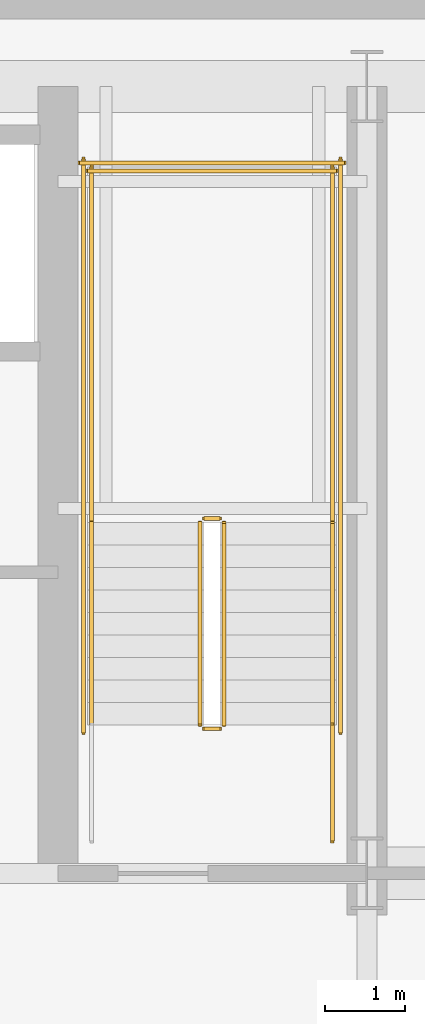
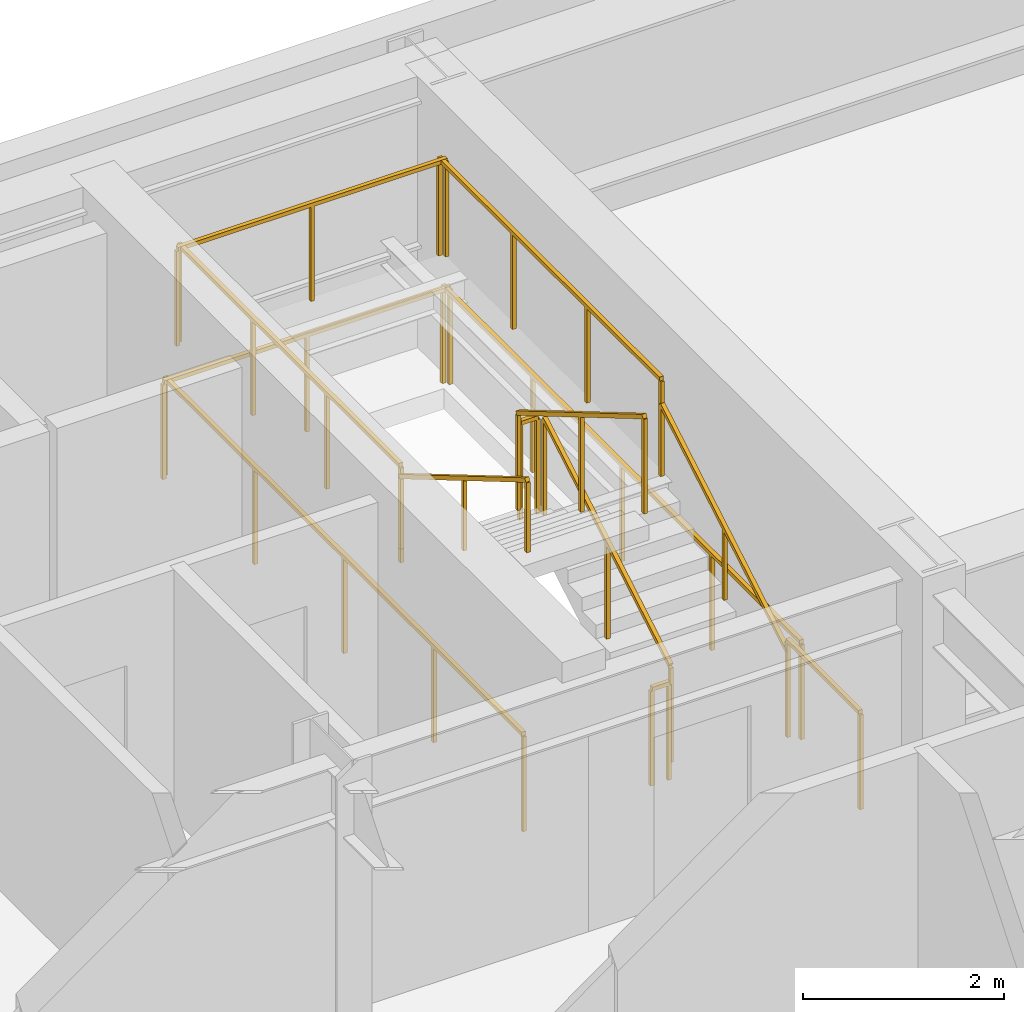
# One storey, part 14 of 16: 13 railings.
"""IFC4 building model written with IfcOpenShell, lengths in metres."""

from ifc_helpers import new_model, si_unit, direction, frame, origin, origin_2d, place, context, subcontext, project, spatial, rectangle, extrude, material, type_object, element, save


model = new_model("IFC4")

# Units and contexts
model_context = context("Model", 3, precision=1e-05, world=origin(), true_north=direction((0.0, 1.0)))
body_context = subcontext(model_context, "Body", "Model", "MODEL_VIEW")
ifc_project = project(units=[si_unit("LENGTHUNIT", "METRE"), si_unit("AREAUNIT", "SQUARE_METRE"), si_unit("VOLUMEUNIT", "CUBIC_METRE"), si_unit("PLANEANGLEUNIT", "RADIAN"), si_unit("MASSUNIT", "GRAM", prefix="KILO")], contexts=[model_context])

# Site, building, storey
site_placement = place(None, origin())
site = spatial("IfcSite", under=ifc_project, at=site_placement, CompositionType="ELEMENT")
building_placement = place(site_placement, origin())
building = spatial("IfcBuilding", under=site, at=building_placement, Name="Haevon Station Towers", CompositionType="ELEMENT")
storey_placement = place(building_placement, frame((0.0, 0.0, 90.0)))
storey = spatial("IfcBuildingStorey", under=building, at=storey_placement, Name="L23", CompositionType="ELEMENT", Elevation=90.0)

# Railings
ifc_material = material(Name="Steel S355", Category="steel")
railing_type_1 = type_object("IfcRailingType", Name="GRD-STR1200", PredefinedType="GUARDRAIL", material=ifc_material)
railing_1_placement = place(storey_placement, frame((49.219970703125, 40.050048828125, 0.1650390625)))
element("IfcRailing", 1, at=railing_1_placement, inside=storey, type_object=railing_type_1, Name="L23 ST2 Stair Guard 1", PredefinedType="GUARDRAIL", context=body_context, shape_type="SweptSolid", body=[
    extrude(rectangle(XDim=0.048095703125, YDim=0.048095703125, at=origin_2d()), frame((0.0, 0.0, 1.17578125), z_axis=(0.0, 0.861560626758, 0.507654692109), x_axis=(-1.0, 0.0, 0.0)), (0.0, 0.0, 1.0), 2.925048828125),
    extrude(rectangle(XDim=0.0419921875, YDim=0.0419921875, at=origin_2d()), origin(), (0.0, 0.0, 1.0), 1.15185546875),
    extrude(rectangle(XDim=0.0419921875, YDim=0.0419921875, at=origin_2d()), frame((0.0, 1.260009765625, 0.742431640625)), (0.0, 0.0, 1.0), 1.15185546875),
    extrude(rectangle(XDim=0.0419921875, YDim=0.0419921875, at=origin_2d()), frame((0.0, 2.52001953125, 1.48486328125)), (0.0, 0.0, 1.0), 1.15185546875),
])
railing_2_placement = place(storey_placement, frame((49.169921875, 42.6201171875, 1.64990234375)))
element("IfcRailing", 2, at=railing_2_placement, inside=storey, type_object=railing_type_1, Name="L23 ST2 Stair Guard 2", PredefinedType="GUARDRAIL", context=body_context, shape_type="SweptSolid", body=[
    extrude(rectangle(XDim=0.048095703125, YDim=0.048095703125, at=origin_2d()), frame((0.0, 0.0, 1.17578125), z_axis=(-1.0, 0.0, 0.0), x_axis=(0.0, -1.0, 0.0)), (0.0, 0.0, 1.0), 0.199951171875),
    extrude(rectangle(XDim=0.0419921875, YDim=0.0419921875, at=origin_2d()), origin(), (0.0, 0.0, 1.0), 1.15185546875),
    extrude(rectangle(XDim=0.0419921875, YDim=0.0419921875, at=origin_2d()), frame((-0.199951171875, 0.0, 0.0)), (0.0, 0.0, 1.0), 1.15185546875),
])
for number, where, name in (
    (3, (50.570068359375, 42.570068359375, 1.64990234375), "L23 ST2 Stair Guard 3"),
    (4, (47.570068359375, 42.570068359375, 1.64990234375), "L23 ST2 Stair Guard 4"),
):
    element("IfcRailing", number, at=place(storey_placement, frame(where)), inside=storey, type_object=railing_type_1, Name=name, PredefinedType="GUARDRAIL", context=body_context, shape_type="SweptSolid", body=[
        extrude(rectangle(XDim=0.048095703125, YDim=0.048095703125, at=origin_2d()), frame((0.0, 0.0, 1.17578125), z_axis=(0.0, 1.0, 0.0), x_axis=(-1.0, 0.0, 0.0)), (0.0, 0.0, 1.0), 4.429931640625),
        extrude(rectangle(XDim=0.0419921875, YDim=0.0419921875, at=origin_2d()), origin(), (0.0, 0.0, 1.0), 1.15185546875),
        extrude(rectangle(XDim=0.0419921875, YDim=0.0419921875, at=origin_2d()), frame((0.0, 1.4765625, 0.0)), (0.0, 0.0, 1.0), 1.15185546875),
        extrude(rectangle(XDim=0.0419921875, YDim=0.0419921875, at=origin_2d()), frame((0.0, 2.953369140625, 0.0)), (0.0, 0.0, 1.0), 1.15185546875),
        extrude(rectangle(XDim=0.0419921875, YDim=0.0419921875, at=origin_2d()), frame((0.0, 4.429931640625, 0.0)), (0.0, 0.0, 1.0), 1.15185546875),
    ])
railing_3_placement = place(storey_placement, frame((50.6201171875, 46.949951171875, 1.64990234375)))
element("IfcRailing", 5, at=railing_3_placement, inside=storey, type_object=railing_type_1, Name="L23 ST2 Stair Guard 5", PredefinedType="GUARDRAIL", context=body_context, shape_type="SweptSolid", body=[
    extrude(rectangle(XDim=0.048095703125, YDim=0.048095703125, at=origin_2d()), frame((0.0, 0.0, 1.17578125), z_axis=(-1.0, 0.0, 0.0), x_axis=(0.0, -1.0, 0.0)), (0.0, 0.0, 1.0), 3.10009765625),
    extrude(rectangle(XDim=0.0419921875, YDim=0.0419921875, at=origin_2d()), origin(), (0.0, 0.0, 1.0), 1.15185546875),
    extrude(rectangle(XDim=0.0419921875, YDim=0.0419921875, at=origin_2d()), frame((-1.550048828125, 0.0, 0.0)), (0.0, 0.0, 1.0), 1.15185546875),
    extrude(rectangle(XDim=0.0419921875, YDim=0.0419921875, at=origin_2d()), frame((-3.10009765625, 0.0, 0.0)), (0.0, 0.0, 1.0), 1.15185546875),
])
railing_4_placement = place(storey_placement, frame((48.919921875, 42.570068359375, 1.81494140625)))
element("IfcRailing", 6, at=railing_4_placement, inside=storey, type_object=railing_type_1, Name="L23 ST2 Stair Guard 6", PredefinedType="GUARDRAIL", context=body_context, shape_type="SweptSolid", body=[
    extrude(rectangle(XDim=0.048095703125, YDim=0.048095703125, at=origin_2d()), frame((0.0, 0.0, 1.17578125), z_axis=(0.0, -0.86152411907, 0.507716645641), x_axis=(1.0, 0.0, 0.0)), (0.0, 0.0, 1.0), 2.925048828125),
    extrude(rectangle(XDim=0.0419921875, YDim=0.0419921875, at=origin_2d()), origin(), (0.0, 0.0, 1.0), 1.15185546875),
    extrude(rectangle(XDim=0.0419921875, YDim=0.0419921875, at=origin_2d()), frame((0.0, -1.260009765625, 0.74267578125)), (0.0, 0.0, 1.0), 1.15185546875),
    extrude(rectangle(XDim=0.0419921875, YDim=0.0419921875, at=origin_2d()), frame((0.0, -2.52001953125, 1.485107421875)), (0.0, 0.0, 1.0), 1.15185546875),
])
railing_5_placement = place(storey_placement, frame((49.169921875, 40.0, 0.0)))
element("IfcRailing", 7, at=railing_5_placement, inside=storey, type_object=railing_type_1, Name="L23 ST2 Stair Guard 7", PredefinedType="GUARDRAIL", context=body_context, shape_type="SweptSolid", body=[
    extrude(rectangle(XDim=0.048095703125, YDim=0.048095703125, at=origin_2d()), frame((0.0, 0.0, 1.17578125), z_axis=(-1.0, 0.0, 0.0), x_axis=(0.0, -1.0, 0.0)), (0.0, 0.0, 1.0), 0.199951171875),
    extrude(rectangle(XDim=0.0419921875, YDim=0.0419921875, at=origin_2d()), origin(), (0.0, 0.0, 1.0), 1.15185546875),
    extrude(rectangle(XDim=0.0419921875, YDim=0.0419921875, at=origin_2d()), frame((-0.199951171875, 0.0, 0.0)), (0.0, 0.0, 1.0), 1.15185546875),
])
railing_6_placement = place(storey_placement, frame((50.570068359375, 38.60009765625, 0.0)))
element("IfcRailing", 8, at=railing_6_placement, inside=storey, type_object=railing_type_1, Name="L23 ST2 Stair Guard 8", PredefinedType="GUARDRAIL", context=body_context, shape_type="SweptSolid", body=[
    extrude(rectangle(XDim=0.048095703125, YDim=0.048095703125, at=origin_2d()), frame((0.0, 0.0, 1.17578125), z_axis=(0.0, 1.0, 0.0), x_axis=(-1.0, 0.0, 0.0)), (0.0, 0.0, 1.0), 1.449951171875),
    extrude(rectangle(XDim=0.0419921875, YDim=0.0419921875, at=origin_2d()), origin(), (0.0, 0.0, 1.0), 1.15185546875),
    extrude(rectangle(XDim=0.0419921875, YDim=0.0419921875, at=origin_2d()), frame((0.0, 1.449951171875, 0.0)), (0.0, 0.0, 1.0), 1.15185546875),
])
for number, where, name in (
    (9, (50.669921875, 39.949951171875, 0.0), "L23 ST2 Stair Guard 10"),
    (10, (47.469970703125, 39.949951171875, 0.0), "L23 ST2 Stair Guard 11"),
):
    element("IfcRailing", number, at=place(storey_placement, frame(where)), inside=storey, type_object=railing_type_1, Name=name, PredefinedType="GUARDRAIL", context=body_context, shape_type="SweptSolid", body=[
        extrude(rectangle(XDim=0.048095703125, YDim=0.048095703125, at=origin_2d()), frame((0.0, 0.0, 1.17578125), z_axis=(0.0, 1.0, 0.0), x_axis=(-1.0, 0.0, 0.0)), (0.0, 0.0, 1.0), 7.150146484375),
        extrude(rectangle(XDim=0.0419921875, YDim=0.0419921875, at=origin_2d()), origin(), (0.0, 0.0, 1.0), 1.15185546875),
        extrude(rectangle(XDim=0.0419921875, YDim=0.0419921875, at=origin_2d()), frame((0.0, 1.78759765625, 0.0)), (0.0, 0.0, 1.0), 1.15185546875),
        extrude(rectangle(XDim=0.0419921875, YDim=0.0419921875, at=origin_2d()), frame((0.0, 3.5751953125, 0.0)), (0.0, 0.0, 1.0), 1.15185546875),
        extrude(rectangle(XDim=0.0419921875, YDim=0.0419921875, at=origin_2d()), frame((0.0, 5.362548828125, 0.0)), (0.0, 0.0, 1.0), 1.15185546875),
        extrude(rectangle(XDim=0.0419921875, YDim=0.0419921875, at=origin_2d()), frame((0.0, 7.150146484375, 0.0)), (0.0, 0.0, 1.0), 1.15185546875),
    ])
railing_7_placement = place(storey_placement, frame((50.719970703125, 47.050048828125, 0.0)))
element("IfcRailing", 11, at=railing_7_placement, inside=storey, type_object=railing_type_1, Name="L23 ST2 Stair Guard 12", PredefinedType="GUARDRAIL", context=body_context, shape_type="SweptSolid", body=[
    extrude(rectangle(XDim=0.048095703125, YDim=0.048095703125, at=origin_2d()), frame((0.0, 0.0, 1.17578125), z_axis=(-1.0, 0.0, 0.0), x_axis=(0.0, -1.0, 0.0)), (0.0, 0.0, 1.0), 3.300048828125),
    extrude(rectangle(XDim=0.0419921875, YDim=0.0419921875, at=origin_2d()), origin(), (0.0, 0.0, 1.0), 1.15185546875),
    extrude(rectangle(XDim=0.0419921875, YDim=0.0419921875, at=origin_2d()), frame((-1.64990234375, 0.0, 0.0)), (0.0, 0.0, 1.0), 1.15185546875),
    extrude(rectangle(XDim=0.0419921875, YDim=0.0419921875, at=origin_2d()), frame((-3.300048828125, 0.0, 0.0)), (0.0, 0.0, 1.0), 1.15185546875),
])
railing_type_2 = type_object("IfcRailingType", Name="HND-STR900", PredefinedType="HANDRAIL", material=ifc_material)
railing_8_placement = place(storey_placement, frame((50.570068359375, 40.050048828125, 0.1650390625)))
element("IfcRailing", 12, at=railing_8_placement, inside=storey, type_object=railing_type_2, Name="L23 ST2 Stair Handrail 1", PredefinedType="HANDRAIL", context=body_context, shape_type="SweptSolid", body=[
    extrude(rectangle(XDim=0.048095703125, YDim=0.048095703125, at=origin_2d()), frame((0.0, 0.0, 0.8759765625), z_axis=(0.0, 0.861560626758, 0.507654692109), x_axis=(-1.0, 0.0, 0.0)), (0.0, 0.0, 1.0), 2.925048828125),
    extrude(rectangle(XDim=0.0419921875, YDim=0.0419921875, at=origin_2d()), origin(), (0.0, 0.0, 1.0), 0.851806640625),
    extrude(rectangle(XDim=0.0419921875, YDim=0.0419921875, at=origin_2d()), frame((0.0, 1.260009765625, 0.742431640625)), (0.0, 0.0, 1.0), 0.851806640625),
    extrude(rectangle(XDim=0.0419921875, YDim=0.0419921875, at=origin_2d()), frame((0.0, 2.52001953125, 1.48486328125)), (0.0, 0.0, 1.0), 0.851806640625),
])
railing_9_placement = place(storey_placement, frame((47.570068359375, 42.570068359375, 1.81494140625)))
element("IfcRailing", 13, at=railing_9_placement, inside=storey, type_object=railing_type_2, Name="L23 ST2 Stair Handrail 2", PredefinedType="HANDRAIL", context=body_context, shape_type="SweptSolid", body=[
    extrude(rectangle(XDim=0.048095703125, YDim=0.048095703125, at=origin_2d()), frame((0.0, 0.0, 0.8759765625), z_axis=(0.0, -0.86152411907, 0.507716645641), x_axis=(1.0, 0.0, 0.0)), (0.0, 0.0, 1.0), 2.925048828125),
    extrude(rectangle(XDim=0.0419921875, YDim=0.0419921875, at=origin_2d()), origin(), (0.0, 0.0, 1.0), 0.851806640625),
    extrude(rectangle(XDim=0.0419921875, YDim=0.0419921875, at=origin_2d()), frame((0.0, -1.260009765625, 0.74267578125)), (0.0, 0.0, 1.0), 0.851806640625),
    extrude(rectangle(XDim=0.0419921875, YDim=0.0419921875, at=origin_2d()), frame((0.0, -2.52001953125, 1.485107421875)), (0.0, 0.0, 1.0), 0.851806640625),
])

save(model, "model.ifc")
